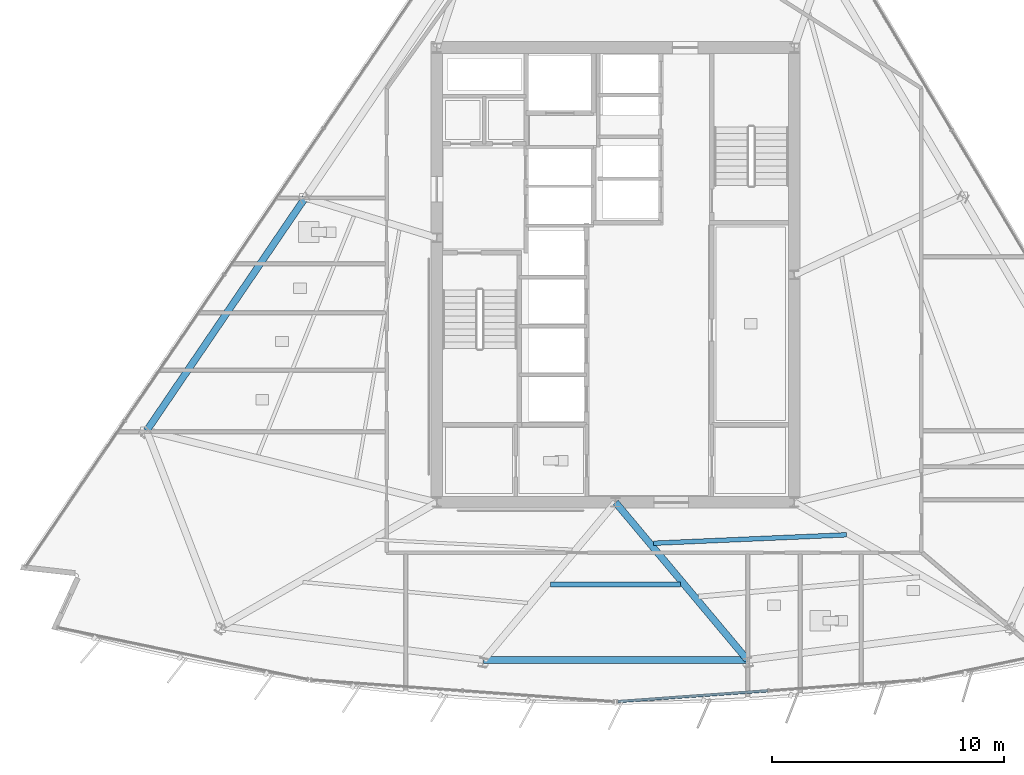
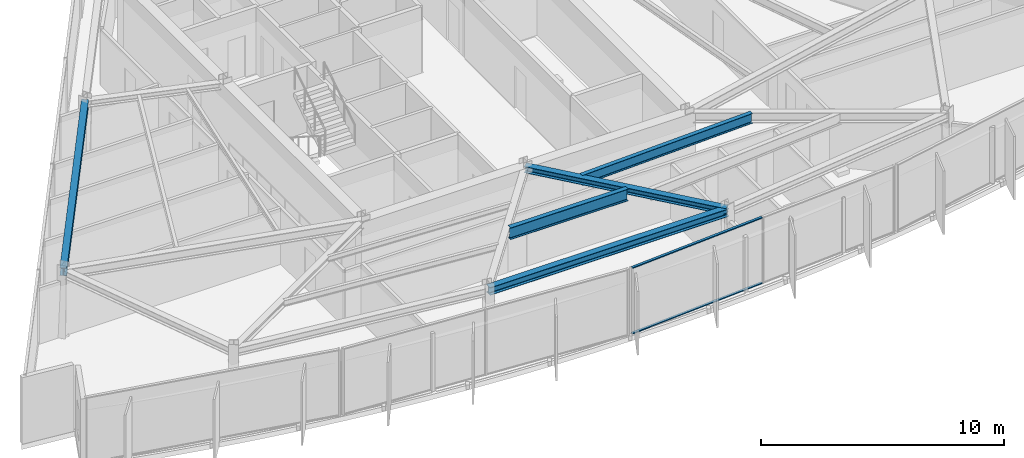
# One storey, part 3 of 15: 5 beams, 2 members, 1 element without a shape of its own.
"""IFC4 building model written with IfcOpenShell, lengths in metres."""

from ifc_helpers import new_model, si_unit, direction, frame, origin, origin_2d, place, context, subcontext, project, spatial, rectangle, i_section, extrude, material, material_profile, profile_set, type_object, element, aggregate, save


model = new_model("IFC4")

# Units and contexts
model_context = context("Model", 3, precision=1e-05, world=origin(), true_north=direction((0.0, 1.0)))
body_context = subcontext(model_context, "Body", "Model", "MODEL_VIEW")
ifc_project = project(units=[si_unit("LENGTHUNIT", "METRE"), si_unit("AREAUNIT", "SQUARE_METRE"), si_unit("VOLUMEUNIT", "CUBIC_METRE"), si_unit("PLANEANGLEUNIT", "RADIAN"), si_unit("MASSUNIT", "GRAM", prefix="KILO")], contexts=[model_context])

# Site, building, storey
site_placement = place(None, origin())
site = spatial("IfcSite", under=ifc_project, at=site_placement, CompositionType="ELEMENT")
building_placement = place(site_placement, origin())
building = spatial("IfcBuilding", under=site, at=building_placement, Name="Savorim Split Tower", CompositionType="ELEMENT")
storey_placement = place(building_placement, frame((0.0, 0.0, 194.699951171875)))
storey = spatial("IfcBuildingStorey", under=building, at=storey_placement, Name="L51", CompositionType="ELEMENT", Elevation=194.699951171875)

# Beams
ifc_material_1 = material(Name="Steel S355", Category="steel")
ifc_material_profile_1 = material_profile(ifc_material_1, i_section(OverallWidth=0.199951171875, OverallDepth=0.5, WebThickness=0.01025390625, FlangeThickness=0.01611328125, FilletRadius=0.02099609375, at=origin_2d()), Name="IPE 500")
ifc_profile_set_1 = profile_set([ifc_material_profile_1], Name="Steel S355")
beam_type_1 = type_object("IfcBeamType", Name="BM-JST-IPE500", PredefinedType="JOIST", material=ifc_profile_set_1)
beam_1_placement = place(storey_placement, frame((1.638427734375, -11.157958984375, 3.10009765625), z_axis=(0.999050002338, 0.043578582231, 0.0), x_axis=(-0.043578582231, 0.999050002338, 0.0)))
element("IfcBeam", 1, at=beam_1_placement, inside=storey, type_object=beam_type_1, Name="L51 Secondary Floor Joist JS-05", PredefinedType="JOIST", context=body_context, shape_type="SweptSolid", body=[
    extrude(i_section(OverallWidth=0.199951171875, OverallDepth=0.5, WebThickness=0.01025390625, FlangeThickness=0.01611328125, FilletRadius=0.02099609375, at=origin_2d()), origin(), (0.0, 0.0, 1.0), 8.3193359375),
])
ifc_material_profile_2 = material_profile(ifc_material_1, i_section(OverallWidth=0.219970703125, OverallDepth=0.60009765625, WebThickness=0.011962890625, FlangeThickness=0.01904296875, FilletRadius=0.02392578125, at=origin_2d()), Name="IPE 600")
ifc_profile_set_2 = profile_set([ifc_material_profile_2], Name="Steel S355")
beam_type_2 = type_object("IfcBeamType", Name="BM-JST-IPE600", PredefinedType="JOIST", material=ifc_profile_set_2)
beam_2_placement = place(storey_placement, frame((-2.797119140625, -12.929931640625, 3.050048828125), z_axis=(1.0, 0.0, 0.0), x_axis=(0.0, 1.0, 0.0)))
element("IfcBeam", 2, at=beam_2_placement, inside=storey, type_object=beam_type_2, Name="L51 Secondary Floor Joist JS-03", PredefinedType="JOIST", context=body_context, shape_type="SweptSolid", body=[
    extrude(i_section(OverallWidth=0.219970703125, OverallDepth=0.60009765625, WebThickness=0.011962890625, FlangeThickness=0.01904296875, FilletRadius=0.02392578125, at=origin_2d()), origin(), (0.0, 0.0, 1.0), 5.59423828125),
])
ifc_material_profile_3 = material_profile(ifc_material_1, i_section(OverallWidth=0.300048828125, OverallDepth=0.320068359375, WebThickness=0.011474609375, FlangeThickness=0.0205078125, FilletRadius=0.027099609375, at=origin_2d()), Name="HEB 320")
ifc_profile_set_3 = profile_set([ifc_material_profile_3], Name="Steel S355")
beam_type_3 = type_object("IfcBeamType", Name="BM-PRI-HEB320", PredefinedType="BEAM", material=ifc_profile_set_3)
beam_3_placement = place(storey_placement, frame((5.68701171875, -16.1884765625, 3.18994140625), z_axis=(-0.642172581413, 0.766560092675, 0.0), x_axis=(-0.766560092675, -0.642172581413, 0.0)))
element("IfcBeam", 3, at=beam_3_placement, inside=storey, type_object=beam_type_3, Name="L51 Primary Floor Girder RG-03", PredefinedType="BEAM", context=body_context, shape_type="SweptSolid", body=[
    extrude(i_section(OverallWidth=0.300048828125, OverallDepth=0.320068359375, WebThickness=0.011474609375, FlangeThickness=0.0205078125, FilletRadius=0.027099609375, at=origin_2d()), origin(), (0.0, 0.0, 1.0), 8.85595703125),
])
ifc_material_profile_4 = material_profile(ifc_material_1, i_section(OverallWidth=0.300048828125, OverallDepth=0.389892578125, WebThickness=0.010986328125, FlangeThickness=0.01904296875, FilletRadius=0.027099609375, at=origin_2d()), Name="HEA 400")
ifc_profile_set_4 = profile_set([ifc_material_profile_4], Name="Steel S355")
beam_type_4 = type_object("IfcBeamType", Name="BM-SPN-HEA400", PredefinedType="SPANDREL", material=ifc_profile_set_4)
beam_4_placement = place(storey_placement, frame((-5.68701171875, -16.1884765625, 3.155029296875), z_axis=(1.0, 0.0, 0.0), x_axis=(0.0, 1.0, 0.0)))
element("IfcBeam", 4, at=beam_4_placement, inside=storey, type_object=beam_type_4, Name="L51 Perimeter Spandrel Beam 2", PredefinedType="SPANDREL", context=body_context, shape_type="SweptSolid", body=[
    extrude(i_section(OverallWidth=0.300048828125, OverallDepth=0.389892578125, WebThickness=0.010986328125, FlangeThickness=0.01904296875, FilletRadius=0.027099609375, at=origin_2d()), origin(), (0.0, 0.0, 1.0), 11.3740234375),
])
beam_5_placement = place(storey_placement, frame((-13.369140625, 3.733642578125, 3.155029296875), z_axis=(-0.562469931945, -0.82681774029, 0.0), x_axis=(0.82681774029, -0.562469931945, 0.0)))
element("IfcBeam", 5, at=beam_5_placement, inside=storey, type_object=beam_type_4, Name="L51 Perimeter Spandrel Beam 9", PredefinedType="SPANDREL", context=body_context, shape_type="SweptSolid", body=[
    extrude(i_section(OverallWidth=0.300048828125, OverallDepth=0.389892578125, WebThickness=0.010986328125, FlangeThickness=0.01904296875, FilletRadius=0.027099609375, at=origin_2d()), origin(), (0.0, 0.0, 1.0), 12.1513671875),
])

# Curtain wall, members
ifc_material_2 = material(Name="Dark Ceramic-Fritted Insulated Glass", Category="glass")
curtain_wall_type = type_object("IfcCurtainWallType", Name="CW-TWR-FRIT-B", PredefinedType="NOTDEFINED", material=ifc_material_2)
curtain_wall_placement = place(storey_placement, origin())
curtain_wall = element("IfcCurtainWall", 6, at=curtain_wall_placement, inside=storey, type_object=curtain_wall_type, Name="L51 Curtain Wall CW-L51-SF3", PredefinedType="NOTDEFINED")
ifc_material_3 = material(Name="Charcoal Anodised Aluminium", Category="aluminium")
ifc_material_profile_5 = material_profile(ifc_material_3, rectangle(XDim=0.1201171875, YDim=0.050048828125, at=origin_2d()), Name="ALU-T 120x50")
ifc_profile_set_5 = profile_set([ifc_material_profile_5], Name="Charcoal Anodised Aluminium")
member_type = type_object("IfcMemberType", Name="CWT-120x50", PredefinedType="USERDEFINED", material=ifc_profile_set_5)
member_1_placement = place(storey_placement, frame((0.111083984375, -17.97412109375, 0.025146484375), z_axis=(0.997435267849, 0.071574342133, 0.0), x_axis=(-0.071574342133, 0.997435267849, 0.0)))
member_1 = element("IfcMember", 7, at=member_1_placement, type_object=member_type, Name="CW-03 transom 1.1", ObjectType="TRANSOM", PredefinedType="USERDEFINED", context=body_context, shape_type="SweptSolid", body=[
    extrude(rectangle(XDim=0.1201171875, YDim=0.050048828125, at=origin_2d()), origin(), (0.0, 0.0, 1.0), 6.46728515625),
])
member_2_placement = place(storey_placement, frame((0.111083984375, -17.97412109375, 3.324951171875), z_axis=(0.997435267849, 0.071574342133, 0.0), x_axis=(-0.071574342133, 0.997435267849, 0.0)))
member_2 = element("IfcMember", 8, at=member_2_placement, type_object=member_type, Name="CW-03 transom 1.2", ObjectType="TRANSOM", PredefinedType="USERDEFINED", context=body_context, shape_type="SweptSolid", body=[
    extrude(rectangle(XDim=0.1201171875, YDim=0.050048828125, at=origin_2d()), origin(), (0.0, 0.0, 1.0), 6.46728515625),
])
aggregate(curtain_wall, [member_1, member_2])

save(model, "model.ifc")
